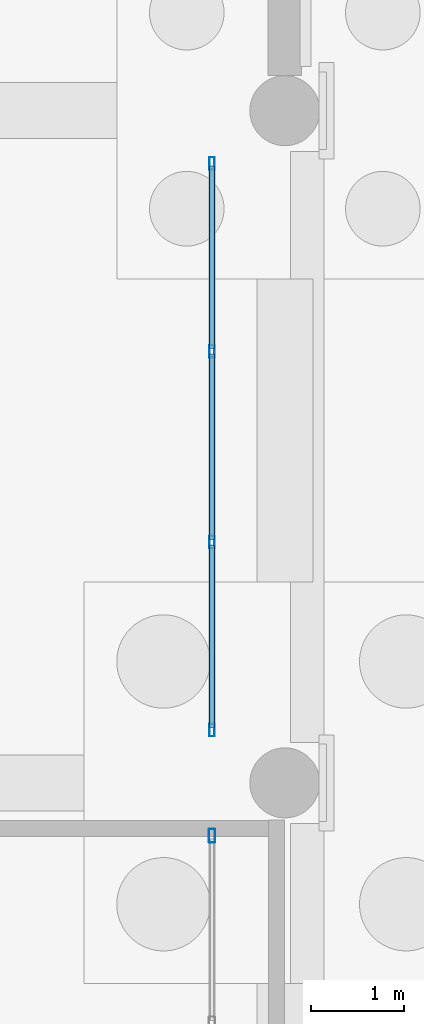
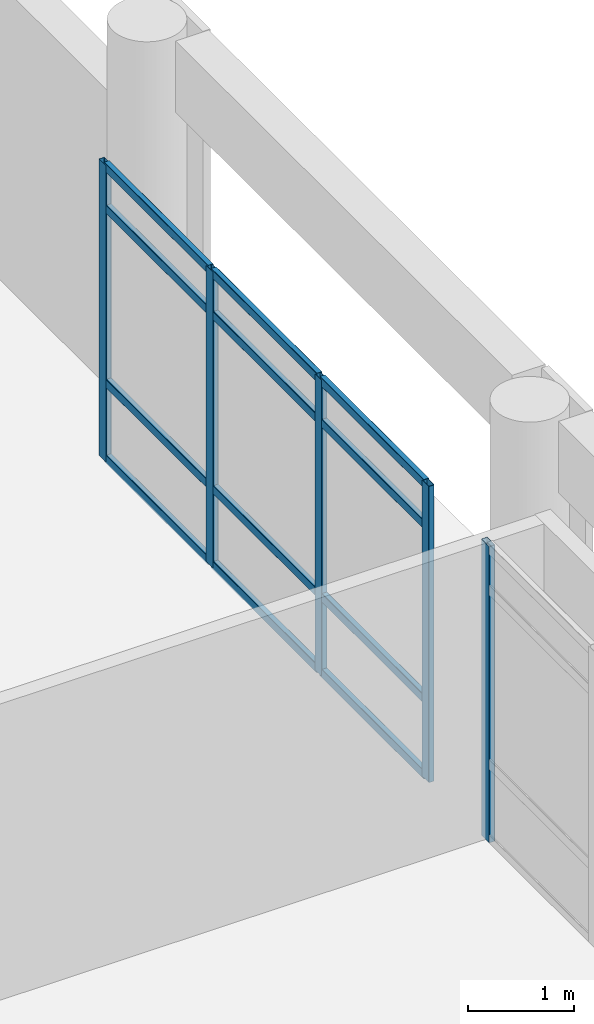
# One storey, part 133 of 196: 17 members, 2 elements without a shape of their own.
"""IFC4 building model written with IfcOpenShell, lengths in metres."""

from ifc_helpers import new_model, si_unit, direction, frame, origin, origin_2d, place, context, subcontext, project, spatial, hollow_rectangle, extrude, material, layer, layer_set, material_profile, profile_set, type_object, element, aggregate, save


model = new_model("IFC4")

# Units and contexts
model_context = context("Model", 3, precision=1e-05, world=origin(), true_north=direction((0.0, 1.0)))
body_context = subcontext(model_context, "Body", "Model", "MODEL_VIEW")
ifc_project = project(units=[si_unit("LENGTHUNIT", "METRE"), si_unit("AREAUNIT", "SQUARE_METRE"), si_unit("VOLUMEUNIT", "CUBIC_METRE"), si_unit("PLANEANGLEUNIT", "RADIAN"), si_unit("MASSUNIT", "GRAM", prefix="KILO")], contexts=[model_context])

# Site, building, storey
site_placement = place(None, origin())
site = spatial("IfcSite", under=ifc_project, at=site_placement, CompositionType="ELEMENT")
building_placement = place(site_placement, origin())
building = spatial("IfcBuilding", under=site, at=building_placement, Name="Asteropetra Specialist Clinic", CompositionType="ELEMENT")
storey_placement = place(building_placement, origin())
storey = spatial("IfcBuildingStorey", under=building, at=storey_placement, Name="L00", CompositionType="ELEMENT", Elevation=0.0)

# Curtain wall, members
ifc_material_1 = material(Name="Aluminium and low-E glass", Category="aluminium")
ifc_layer = layer(ifc_material_1, 0.179931640625)
ifc_layer_set = layer_set([ifc_layer], Name="Aluminium and low-E glass")
curtain_wall_type = type_object("IfcCurtainWallType", Name="CW-SYS-10", PredefinedType="USERDEFINED", material=ifc_layer_set)
curtain_wall_1_placement = place(storey_placement, origin())
curtain_wall_1 = element("IfcCurtainWall", 1, at=curtain_wall_1_placement, inside=storey, type_object=curtain_wall_type, Name="Curtain Wall CW-206", ObjectType="STICK GLAZED COLONNADE", PredefinedType="USERDEFINED")
ifc_material_2 = material(Name="Aluminium 6063-T6", Category="aluminium")
ifc_material_profile_1 = material_profile(ifc_material_2, hollow_rectangle(XDim=0.06005859375, YDim=0.135009765625, WallThickness=0.00341796875, InnerFilletRadius=0.00341796875, OuterFilletRadius=0.007080078125, at=origin_2d()), Name="MUL 135x60x3.5")
ifc_profile_set_1 = profile_set([ifc_material_profile_1], Name="Aluminium 6063-T6")
member_type_1 = type_object("IfcMemberType", Name="CWM-135x60", PredefinedType="MULLION", material=ifc_profile_set_1)
member_1_placement = place(storey_placement, frame((152.820068359375, 48.56494140625, 0.0), z_axis=(0.0, 0.0, 1.0), x_axis=(-1.0, 0.0, 0.0)))
member_1 = element("IfcMember", 2, at=member_1_placement, type_object=member_type_1, Name="CW-206 mullion 1", PredefinedType="MULLION", context=body_context, shape_type="SweptSolid", body=[
    extrude(hollow_rectangle(XDim=0.06005859375, YDim=0.135009765625, WallThickness=0.00341796875, InnerFilletRadius=0.00341796875, OuterFilletRadius=0.007080078125, at=origin_2d()), origin(), (0.0, 0.0, 1.0), 3.39990234375),
])
member_2_placement = place(storey_placement, frame((152.820068359375, 50.578369140625, 0.0), z_axis=(0.0, 0.0, 1.0), x_axis=(-1.0, 0.0, 0.0)))
member_2 = element("IfcMember", 3, at=member_2_placement, type_object=member_type_1, Name="CW-206 mullion 2", PredefinedType="MULLION", context=body_context, shape_type="SweptSolid", body=[
    extrude(hollow_rectangle(XDim=0.06005859375, YDim=0.135009765625, WallThickness=0.00341796875, InnerFilletRadius=0.00341796875, OuterFilletRadius=0.007080078125, at=origin_2d()), origin(), (0.0, 0.0, 1.0), 3.39990234375),
])
member_3_placement = place(storey_placement, frame((152.820068359375, 52.62158203125, 0.0), z_axis=(0.0, 0.0, 1.0), x_axis=(-1.0, 0.0, 0.0)))
member_3 = element("IfcMember", 4, at=member_3_placement, type_object=member_type_1, Name="CW-206 mullion 3", PredefinedType="MULLION", context=body_context, shape_type="SweptSolid", body=[
    extrude(hollow_rectangle(XDim=0.06005859375, YDim=0.135009765625, WallThickness=0.00341796875, InnerFilletRadius=0.00341796875, OuterFilletRadius=0.007080078125, at=origin_2d()), origin(), (0.0, 0.0, 1.0), 3.39990234375),
])
member_4_placement = place(storey_placement, frame((152.820068359375, 54.635009765625, 0.0), z_axis=(0.0, 0.0, 1.0), x_axis=(-1.0, 0.0, 0.0)))
member_4 = element("IfcMember", 5, at=member_4_placement, type_object=member_type_1, Name="CW-206 mullion 4", PredefinedType="MULLION", context=body_context, shape_type="SweptSolid", body=[
    extrude(hollow_rectangle(XDim=0.06005859375, YDim=0.135009765625, WallThickness=0.00341796875, InnerFilletRadius=0.00341796875, OuterFilletRadius=0.007080078125, at=origin_2d()), origin(), (0.0, 0.0, 1.0), 3.39990234375),
])

# Curtain wall, member
curtain_wall_2_placement = place(storey_placement, origin())
curtain_wall_2 = element("IfcCurtainWall", 6, at=curtain_wall_2_placement, inside=storey, type_object=curtain_wall_type, Name="Curtain Wall CW-205", ObjectType="STICK GLAZED COLONNADE", PredefinedType="USERDEFINED")
ifc_material_3 = material(Name="Aluminium 6063-T6", Category="aluminium")
ifc_material_profile_2 = material_profile(ifc_material_3, hollow_rectangle(XDim=0.06494140625, YDim=0.14990234375, WallThickness=0.00390625, InnerFilletRadius=0.00390625, OuterFilletRadius=0.008056640625, at=origin_2d()), Name="MUL 150x65x4.0")
ifc_profile_set_2 = profile_set([ifc_material_profile_2], Name="Aluminium 6063-T6")
member_type_2 = type_object("IfcMemberType", Name="CWM-150x65", PredefinedType="MULLION", material=ifc_profile_set_2)
member_5_placement = place(storey_placement, frame((152.820068359375, 47.4326171875, 0.0), z_axis=(0.0, 0.0, 1.0), x_axis=(-1.0, 0.0, 0.0)))
member_5 = element("IfcMember", 7, at=member_5_placement, type_object=member_type_2, Name="CW-205 mullion 4", PredefinedType="MULLION", context=body_context, shape_type="SweptSolid", body=[
    extrude(hollow_rectangle(XDim=0.06494140625, YDim=0.14990234375, WallThickness=0.00390625, InnerFilletRadius=0.00390625, OuterFilletRadius=0.008056640625, at=origin_2d()), origin(), (0.0, 0.0, 1.0), 3.39990234375),
])
aggregate(curtain_wall_2, [member_5])

# Member
ifc_material_4 = material(Name="Aluminium 6063-T6", Category="aluminium")
ifc_material_profile_3 = material_profile(ifc_material_4, hollow_rectangle(XDim=0.06005859375, YDim=0.10009765625, WallThickness=0.00341796875, InnerFilletRadius=0.00341796875, OuterFilletRadius=0.007080078125, at=origin_2d()), Name="TRN 100x60x3.5")
ifc_profile_set_3 = profile_set([ifc_material_profile_3], Name="Aluminium 6063-T6")
member_type_3 = type_object("IfcMemberType", Name="CWT-100x60", PredefinedType="USERDEFINED", material=ifc_profile_set_3)
member_6_placement = place(storey_placement, frame((152.820068359375, 48.594970703125, 0.030029296875), z_axis=(0.0, 1.0, 0.0), x_axis=(-1.0, 0.0, 0.0)))
member_6 = element("IfcMember", 8, at=member_6_placement, type_object=member_type_3, Name="CW-206 transom 1.1", ObjectType="TRANSOM", PredefinedType="USERDEFINED", context=body_context, shape_type="SweptSolid", body=[
    extrude(hollow_rectangle(XDim=0.06005859375, YDim=0.10009765625, WallThickness=0.00341796875, InnerFilletRadius=0.00341796875, OuterFilletRadius=0.007080078125, at=origin_2d()), origin(), (0.0, 0.0, 1.0), 1.953369140625),
])

member_7_placement = place(storey_placement, frame((152.820068359375, 48.594970703125, 0.89990234375), z_axis=(0.0, 1.0, 0.0), x_axis=(-1.0, 0.0, 0.0)))
member_7 = element("IfcMember", 9, at=member_7_placement, type_object=member_type_3, Name="CW-206 transom 1.2", ObjectType="TRANSOM", PredefinedType="USERDEFINED", context=body_context, shape_type="SweptSolid", body=[
    extrude(hollow_rectangle(XDim=0.06005859375, YDim=0.10009765625, WallThickness=0.00341796875, InnerFilletRadius=0.00341796875, OuterFilletRadius=0.007080078125, at=origin_2d()), origin(), (0.0, 0.0, 1.0), 1.953369140625),
])

member_8_placement = place(storey_placement, frame((152.820068359375, 48.594970703125, 2.89990234375), z_axis=(0.0, 1.0, 0.0), x_axis=(-1.0, 0.0, 0.0)))
member_8 = element("IfcMember", 10, at=member_8_placement, type_object=member_type_3, Name="CW-206 transom 1.3", ObjectType="TRANSOM", PredefinedType="USERDEFINED", context=body_context, shape_type="SweptSolid", body=[
    extrude(hollow_rectangle(XDim=0.06005859375, YDim=0.10009765625, WallThickness=0.00341796875, InnerFilletRadius=0.00341796875, OuterFilletRadius=0.007080078125, at=origin_2d()), origin(), (0.0, 0.0, 1.0), 1.953369140625),
])

member_9_placement = place(storey_placement, frame((152.820068359375, 48.594970703125, 3.3701171875), z_axis=(0.0, 1.0, 0.0), x_axis=(-1.0, 0.0, 0.0)))
member_9 = element("IfcMember", 11, at=member_9_placement, type_object=member_type_3, Name="CW-206 transom 1.4", ObjectType="TRANSOM", PredefinedType="USERDEFINED", context=body_context, shape_type="SweptSolid", body=[
    extrude(hollow_rectangle(XDim=0.06005859375, YDim=0.10009765625, WallThickness=0.00341796875, InnerFilletRadius=0.00341796875, OuterFilletRadius=0.007080078125, at=origin_2d()), origin(), (0.0, 0.0, 1.0), 1.953369140625),
])

member_10_placement = place(storey_placement, frame((152.820068359375, 50.6083984375, 0.030029296875), z_axis=(0.0, 1.0, 0.0), x_axis=(-1.0, 0.0, 0.0)))
member_10 = element("IfcMember", 12, at=member_10_placement, type_object=member_type_3, Name="CW-206 transom 2.1", ObjectType="TRANSOM", PredefinedType="USERDEFINED", context=body_context, shape_type="SweptSolid", body=[
    extrude(hollow_rectangle(XDim=0.06005859375, YDim=0.10009765625, WallThickness=0.00341796875, InnerFilletRadius=0.00341796875, OuterFilletRadius=0.007080078125, at=origin_2d()), origin(), (0.0, 0.0, 1.0), 1.983154296875),
])

member_11_placement = place(storey_placement, frame((152.820068359375, 50.6083984375, 0.89990234375), z_axis=(0.0, 1.0, 0.0), x_axis=(-1.0, 0.0, 0.0)))
member_11 = element("IfcMember", 13, at=member_11_placement, type_object=member_type_3, Name="CW-206 transom 2.2", ObjectType="TRANSOM", PredefinedType="USERDEFINED", context=body_context, shape_type="SweptSolid", body=[
    extrude(hollow_rectangle(XDim=0.06005859375, YDim=0.10009765625, WallThickness=0.00341796875, InnerFilletRadius=0.00341796875, OuterFilletRadius=0.007080078125, at=origin_2d()), origin(), (0.0, 0.0, 1.0), 1.983154296875),
])

member_12_placement = place(storey_placement, frame((152.820068359375, 50.6083984375, 2.89990234375), z_axis=(0.0, 1.0, 0.0), x_axis=(-1.0, 0.0, 0.0)))
member_12 = element("IfcMember", 14, at=member_12_placement, type_object=member_type_3, Name="CW-206 transom 2.3", ObjectType="TRANSOM", PredefinedType="USERDEFINED", context=body_context, shape_type="SweptSolid", body=[
    extrude(hollow_rectangle(XDim=0.06005859375, YDim=0.10009765625, WallThickness=0.00341796875, InnerFilletRadius=0.00341796875, OuterFilletRadius=0.007080078125, at=origin_2d()), origin(), (0.0, 0.0, 1.0), 1.983154296875),
])

member_13_placement = place(storey_placement, frame((152.820068359375, 50.6083984375, 3.3701171875), z_axis=(0.0, 1.0, 0.0), x_axis=(-1.0, 0.0, 0.0)))
member_13 = element("IfcMember", 15, at=member_13_placement, type_object=member_type_3, Name="CW-206 transom 2.4", ObjectType="TRANSOM", PredefinedType="USERDEFINED", context=body_context, shape_type="SweptSolid", body=[
    extrude(hollow_rectangle(XDim=0.06005859375, YDim=0.10009765625, WallThickness=0.00341796875, InnerFilletRadius=0.00341796875, OuterFilletRadius=0.007080078125, at=origin_2d()), origin(), (0.0, 0.0, 1.0), 1.983154296875),
])

member_14_placement = place(storey_placement, frame((152.820068359375, 52.651611328125, 0.030029296875), z_axis=(0.0, 1.0, 0.0), x_axis=(-1.0, 0.0, 0.0)))
member_14 = element("IfcMember", 16, at=member_14_placement, type_object=member_type_3, Name="CW-206 transom 3.1", ObjectType="TRANSOM", PredefinedType="USERDEFINED", context=body_context, shape_type="SweptSolid", body=[
    extrude(hollow_rectangle(XDim=0.06005859375, YDim=0.10009765625, WallThickness=0.00341796875, InnerFilletRadius=0.00341796875, OuterFilletRadius=0.007080078125, at=origin_2d()), origin(), (0.0, 0.0, 1.0), 1.953369140625),
])

member_15_placement = place(storey_placement, frame((152.820068359375, 52.651611328125, 0.89990234375), z_axis=(0.0, 1.0, 0.0), x_axis=(-1.0, 0.0, 0.0)))
member_15 = element("IfcMember", 17, at=member_15_placement, type_object=member_type_3, Name="CW-206 transom 3.2", ObjectType="TRANSOM", PredefinedType="USERDEFINED", context=body_context, shape_type="SweptSolid", body=[
    extrude(hollow_rectangle(XDim=0.06005859375, YDim=0.10009765625, WallThickness=0.00341796875, InnerFilletRadius=0.00341796875, OuterFilletRadius=0.007080078125, at=origin_2d()), origin(), (0.0, 0.0, 1.0), 1.953369140625),
])

member_16_placement = place(storey_placement, frame((152.820068359375, 52.651611328125, 2.89990234375), z_axis=(0.0, 1.0, 0.0), x_axis=(-1.0, 0.0, 0.0)))
member_16 = element("IfcMember", 18, at=member_16_placement, type_object=member_type_3, Name="CW-206 transom 3.3", ObjectType="TRANSOM", PredefinedType="USERDEFINED", context=body_context, shape_type="SweptSolid", body=[
    extrude(hollow_rectangle(XDim=0.06005859375, YDim=0.10009765625, WallThickness=0.00341796875, InnerFilletRadius=0.00341796875, OuterFilletRadius=0.007080078125, at=origin_2d()), origin(), (0.0, 0.0, 1.0), 1.953369140625),
])

member_17_placement = place(storey_placement, frame((152.820068359375, 52.651611328125, 3.3701171875), z_axis=(0.0, 1.0, 0.0), x_axis=(-1.0, 0.0, 0.0)))
member_17 = element("IfcMember", 19, at=member_17_placement, type_object=member_type_3, Name="CW-206 transom 3.4", ObjectType="TRANSOM", PredefinedType="USERDEFINED", context=body_context, shape_type="SweptSolid", body=[
    extrude(hollow_rectangle(XDim=0.06005859375, YDim=0.10009765625, WallThickness=0.00341796875, InnerFilletRadius=0.00341796875, OuterFilletRadius=0.007080078125, at=origin_2d()), origin(), (0.0, 0.0, 1.0), 1.953369140625),
])

aggregate(curtain_wall_1, [member_1, member_2, member_3, member_4, member_6, member_7, member_8, member_9, member_10, member_11, member_12, member_13, member_14, member_15, member_16, member_17])

save(model, "model.ifc")
